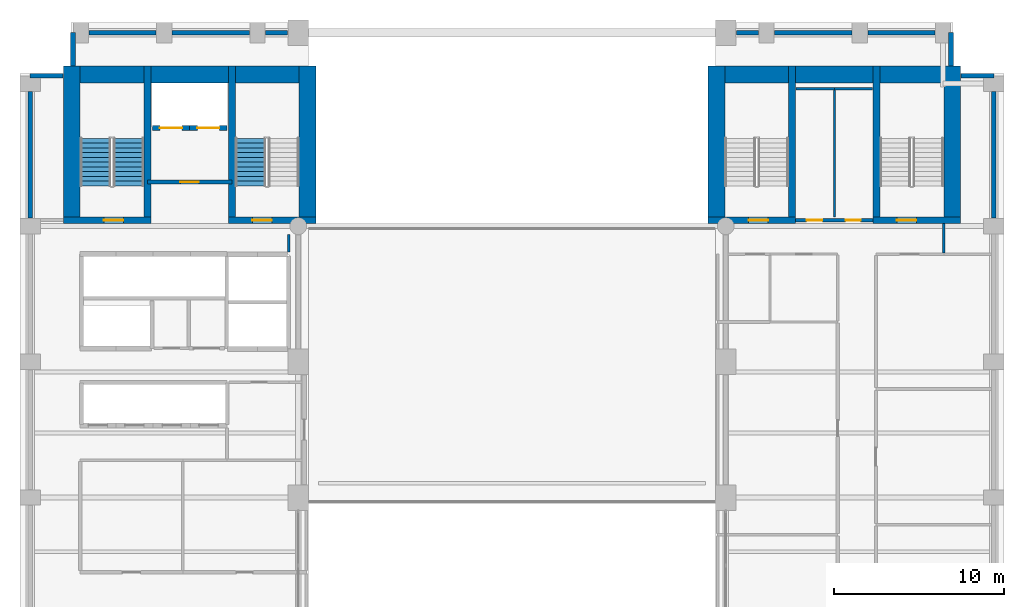
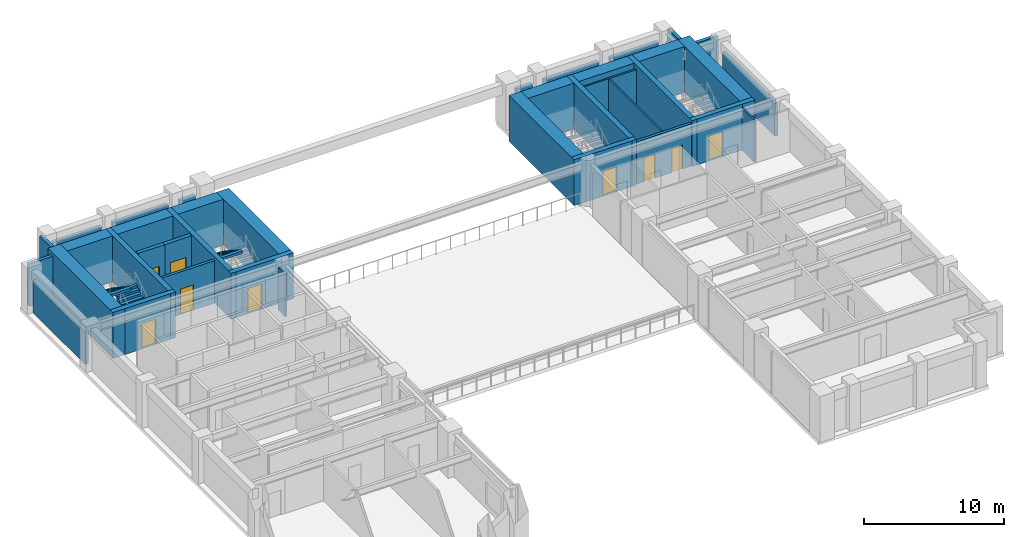
# One storey, part 7 of 12: 35 walls, 9 doors, 3 stair flights, 9 openings, 2 elements without a shape of their own.
"""IFC4 building model written with IfcOpenShell, lengths in metres."""

from ifc_helpers import new_model, si_unit, direction, frame, frame_2d, origin, place, context, subcontext, project, spatial, polyline, rectangle, outline, extrude, material, layer, layer_set, type_object, element, fill, aggregate, save


model = new_model("IFC4")

# Units and contexts
model_context = context("Model", 3, precision=1e-05, world=origin(), true_north=direction((0.0, 1.0)))
body_context = subcontext(model_context, "Body", "Model", "MODEL_VIEW")
ifc_project = project(units=[si_unit("LENGTHUNIT", "METRE"), si_unit("AREAUNIT", "SQUARE_METRE"), si_unit("VOLUMEUNIT", "CUBIC_METRE"), si_unit("PLANEANGLEUNIT", "RADIAN"), si_unit("MASSUNIT", "GRAM", prefix="KILO")], contexts=[model_context])

# Site, building, storey
site_placement = place(None, origin())
site = spatial("IfcSite", under=ifc_project, at=site_placement, CompositionType="ELEMENT")
building_placement = place(site_placement, origin())
building = spatial("IfcBuilding", under=site, at=building_placement, Name="Sulina Concourse Tower", CompositionType="ELEMENT")
storey_placement = place(building_placement, frame((0.0, 0.0, 38.60009765625)))
storey = spatial("IfcBuildingStorey", under=building, at=storey_placement, Name="L09", CompositionType="ELEMENT", Elevation=38.60009765625)

# Wall, opening, door
ifc_material_1 = material(Name="Concrete C50/60", Category="concrete")
ifc_layer_1 = layer(ifc_material_1, 0.300048828125)
ifc_layer_set_1 = layer_set([ifc_layer_1], Name="Concrete C50/60")
wall_type_1 = type_object("IfcWallType", Name="Core Lift Hoistway Wall 300mm", PredefinedType="SOLIDWALL", material=ifc_layer_set_1)
wall_1_placement = place(storey_placement, frame((10.0, 39.780029296875, 0.0), z_axis=(0.0, 0.0, 1.0), x_axis=(-1.0, 0.0, 0.0)))
wall_1 = element("IfcWall", 1, at=wall_1_placement, inside=storey, type_object=wall_type_1, Name="L09 hoistway enclosure wall FFL-1", PredefinedType="SOLIDWALL", context=body_context, shape_type="SweptSolid", body=[
    extrude(rectangle(XDim=2.199951171875, YDim=0.300048828125, at=frame_2d((1.10009765625, 0.0))), origin(), (0.0, 0.0, 1.0), 4.0),
])
opening_1_placement = place(wall_1_placement, frame((0.449951171875, 0.0, 0.0)))
opening_1 = element("IfcOpeningElement", 2, at=opening_1_placement, cuts=wall_1, Name="Opening LD-02", PredefinedType="OPENING", context=body_context, shape_type="SweptSolid", body=[
    extrude(rectangle(XDim=1.300048828125, YDim=2.25, at=frame_2d((0.64990234375, 1.125))), frame((0.0, 0.159912109375, 0.0), z_axis=(0.0, -1.0, 0.0), x_axis=(1.0, 0.0, 0.0)), (0.0, 0.0, 1.0), 0.320068359375),
])
ifc_material_2 = material(Name="Stainless steel lift landing door", Category="steel")
ifc_layer_2 = layer(ifc_material_2, 0.050048828125)
ifc_layer_set_2 = layer_set([ifc_layer_2], Name="Stainless steel lift landing door")
door_type_1 = type_object("IfcDoorType", Name="Firefighting Lift Sliding Landing Door 1300x2250", OperationType="SLIDING_TO_RIGHT", PredefinedType="DOOR", material=ifc_layer_set_2)
door_1_placement = place(opening_1_placement, origin())
door_1 = element("IfcDoor", 3, at=door_1_placement, inside=storey, type_object=door_type_1, Name="L09 lift landing sliding door FFL-1", OperationType="SLIDING_TO_LEFT", OverallHeight=2.25, OverallWidth=1.300048828125, PredefinedType="DOOR", context=body_context, shape_type="SweptSolid", body=[
    extrude(rectangle(XDim=1.300048828125, YDim=2.25, at=frame_2d((0.64990234375, 1.125))), frame((0.0, 0.02490234375, 0.0), z_axis=(0.0, -1.0, 0.0), x_axis=(1.0, 0.0, 0.0)), (0.0, 0.0, 1.0), 0.050048828125),
])
fill(opening_1, door_1)

wall_2_placement = place(storey_placement, frame((12.199951171875, 39.780029296875, 0.0), z_axis=(0.0, 0.0, 1.0), x_axis=(-1.0, 0.0, 0.0)))
wall_2 = element("IfcWall", 4, at=wall_2_placement, inside=storey, type_object=wall_type_1, Name="L09 hoistway enclosure wall FFL-2", PredefinedType="SOLIDWALL", context=body_context, shape_type="SweptSolid", body=[
    extrude(rectangle(XDim=2.199951171875, YDim=0.300048828125, at=frame_2d((1.10009765625, 0.0))), origin(), (0.0, 0.0, 1.0), 4.0),
])
opening_2_placement = place(wall_2_placement, frame((0.449951171875, 0.0, 0.0)))
opening_2 = element("IfcOpeningElement", 5, at=opening_2_placement, cuts=wall_2, Name="Opening LD-02", PredefinedType="OPENING", context=body_context, shape_type="SweptSolid", body=[
    extrude(rectangle(XDim=1.300048828125, YDim=2.25, at=frame_2d((0.64990234375, 1.125))), frame((0.0, 0.159912109375, 0.0), z_axis=(0.0, -1.0, 0.0), x_axis=(1.0, 0.0, 0.0)), (0.0, 0.0, 1.0), 0.320068359375),
])
door_2_placement = place(opening_2_placement, origin())
door_2 = element("IfcDoor", 6, at=door_2_placement, inside=storey, type_object=door_type_1, Name="L09 lift landing sliding door FFL-2", OperationType="SLIDING_TO_RIGHT", OverallHeight=2.25, OverallWidth=1.300048828125, PredefinedType="DOOR", context=body_context, shape_type="SweptSolid", body=[
    extrude(rectangle(XDim=1.300048828125, YDim=2.25, at=frame_2d((0.64990234375, 1.125))), frame((0.0, 0.02490234375, 0.0), z_axis=(0.0, -1.0, 0.0), x_axis=(1.0, 0.0, 0.0)), (0.0, 0.0, 1.0), 0.050048828125),
])
fill(opening_2, door_2)

ifc_material_3 = material(Name="Gypsum board on steel stud", Category="steel")
ifc_layer_3 = layer(ifc_material_3, 0.219970703125)
ifc_layer_set_3 = layer_set([ifc_layer_3], Name="Gypsum board on steel stud")
wall_type_2 = type_object("IfcWallType", Name="Fire-Rated Lobby & Compartment Wall 220mm", PredefinedType="PARTITIONING", material=ifc_layer_set_3)
wall_3_placement = place(storey_placement, frame((7.510009765625, 36.60009765625, 0.0), z_axis=(0.0, 0.0, 1.0), x_axis=(1.0, 0.0, 0.0)))
wall_3 = element("IfcWall", 7, at=wall_3_placement, inside=storey, type_object=wall_type_2, Name="L09 firefighting lobby south fire wall", PredefinedType="PARTITIONING", context=body_context, shape_type="SweptSolid", body=[
    extrude(rectangle(XDim=4.97998046875, YDim=0.219970703125, at=frame_2d((2.489990234375, 0.0))), origin(), (0.0, 0.0, 1.0), 3.699951171875),
])
opening_3_placement = place(wall_3_placement, frame((1.93994140625, 0.0, 0.0)))
opening_3 = element("IfcOpeningElement", 8, at=opening_3_placement, cuts=wall_3, Name="Opening DR-47", PredefinedType="OPENING", context=body_context, shape_type="SweptSolid", body=[
    extrude(rectangle(XDim=1.10009765625, YDim=2.199951171875, at=frame_2d((0.550048828125, 1.10009765625))), frame((0.0, 0.119873046875, 0.0), z_axis=(0.0, -1.0, 0.0), x_axis=(1.0, 0.0, 0.0)), (0.0, 0.0, 1.0), 0.239990234375),
])
ifc_material_4 = material(Name="Galvanised steel acoustic fire leaf", Category="steel")
ifc_layer_4 = layer(ifc_material_4, 0.054931640625)
ifc_layer_set_4 = layer_set([ifc_layer_4], Name="Galvanised steel acoustic fire leaf")
door_type_2 = type_object("IfcDoorType", Name="Firefighting Lobby Fire Door 1100x2200", OperationType="NOTDEFINED", PredefinedType="DOOR", material=ifc_layer_set_4)
door_3_placement = place(opening_3_placement, origin())
door_3 = element("IfcDoor", 9, at=door_3_placement, inside=storey, type_object=door_type_2, Name="L09 firefighting lobby fire door", OperationType="SINGLE_SWING_RIGHT", OverallHeight=2.199951171875, OverallWidth=1.10009765625, PredefinedType="DOOR", context=body_context, shape_type="SweptSolid", body=[
    extrude(rectangle(XDim=1.10009765625, YDim=2.199951171875, at=frame_2d((0.550048828125, 1.10009765625))), frame((0.0, 0.02490234375, 0.0), z_axis=(0.0, -1.0, 0.0), x_axis=(1.0, 0.0, 0.0)), (0.0, 0.0, 1.0), 0.050048828125),
])
fill(opening_3, door_3)

# Wall, openings, doors
wall_4_placement = place(storey_placement, frame((45.719970703125, 34.35009765625, 0.0), z_axis=(0.0, 0.0, 1.0), x_axis=(1.0, 0.0, 0.0)))
wall_4 = element("IfcWall", 10, at=wall_4_placement, inside=storey, type_object=wall_type_2, Name="L09 east core south lobby wall", PredefinedType="PARTITIONING", context=body_context, shape_type="SweptSolid", body=[
    extrude(rectangle(XDim=4.56005859375, YDim=0.219970703125, at=frame_2d((2.280029296875, 0.0))), origin(), (0.0, 0.0, 1.0), 3.699951171875),
])
opening_4_placement = place(wall_4_placement, frame((0.64990234375, 0.0, 0.0)))
opening_4 = element("IfcOpeningElement", 11, at=opening_4_placement, cuts=wall_4, Name="Opening DR-61", PredefinedType="OPENING", context=body_context, shape_type="SweptSolid", body=[
    extrude(rectangle(XDim=0.919921875, YDim=2.10009765625, at=frame_2d((0.4599609375, 1.050048828125))), frame((0.0, 0.119873046875, 0.0), z_axis=(0.0, -1.0, 0.0), x_axis=(1.0, 0.0, 0.0)), (0.0, 0.0, 1.0), 0.239990234375),
])
opening_5_placement = place(wall_4_placement, frame((2.949951171875, 0.0, 0.0)))
opening_5 = element("IfcOpeningElement", 12, at=opening_5_placement, cuts=wall_4, Name="Opening DR-38", PredefinedType="OPENING", context=body_context, shape_type="SweptSolid", body=[
    extrude(rectangle(XDim=0.8798828125, YDim=2.10009765625, at=frame_2d((0.43994140625, 1.050048828125))), frame((0.0, 0.119873046875, 0.0), z_axis=(0.0, -1.0, 0.0), x_axis=(1.0, 0.0, 0.0)), (0.0, 0.0, 1.0), 0.239990234375),
])
ifc_material_5 = material(Name="Oak-veneered fire door leaf")
ifc_layer_5 = layer(ifc_material_5, 0.050048828125)
ifc_layer_set_5 = layer_set([ifc_layer_5], Name="Oak-veneered fire door leaf")
door_type_3 = type_object("IfcDoorType", Name="Accessible WC Door 920x2100", OperationType="NOTDEFINED", PredefinedType="DOOR", material=ifc_layer_set_5)
door_4_placement = place(opening_4_placement, origin())
door_4 = element("IfcDoor", 13, at=door_4_placement, inside=storey, type_object=door_type_3, Name="L09 east core accessible wc door", OperationType="SINGLE_SWING_RIGHT", OverallHeight=2.10009765625, OverallWidth=0.919921875, PredefinedType="DOOR", context=body_context, shape_type="SweptSolid", body=[
    extrude(rectangle(XDim=0.919921875, YDim=2.10009765625, at=frame_2d((0.4599609375, 1.050048828125))), frame((0.0, 0.02490234375, 0.0), z_axis=(0.0, -1.0, 0.0), x_axis=(1.0, 0.0, 0.0)), (0.0, 0.0, 1.0), 0.050048828125),
])
fill(opening_4, door_4)
ifc_material_6 = material(Name="Galvanised steel acoustic fire leaf", Category="steel")
ifc_layer_6 = layer(ifc_material_6, 0.050048828125)
ifc_layer_set_6 = layer_set([ifc_layer_6], Name="Galvanised steel acoustic fire leaf")
door_type_4 = type_object("IfcDoorType", Name="Service Riser Fire Door 880x2100", OperationType="NOTDEFINED", PredefinedType="DOOR", material=ifc_layer_set_6)
door_5_placement = place(opening_5_placement, origin())
door_5 = element("IfcDoor", 14, at=door_5_placement, inside=storey, type_object=door_type_4, Name="L09 east core store door", OperationType="SINGLE_SWING_LEFT", OverallHeight=2.10009765625, OverallWidth=0.8798828125, PredefinedType="DOOR", context=body_context, shape_type="SweptSolid", body=[
    extrude(rectangle(XDim=0.8798828125, YDim=2.10009765625, at=frame_2d((0.43994140625, 1.050048828125))), frame((0.0, 0.02490234375, 0.0), z_axis=(0.0, -1.0, 0.0), x_axis=(1.0, 0.0, 0.0)), (0.0, 0.0, 1.0), 0.050048828125),
])
fill(opening_5, door_5)

# Walls
ifc_material_7 = material(Name="Gypsum board on steel stud", Category="steel")
ifc_layer_7 = layer(ifc_material_7, 0.14990234375)
ifc_layer_set_7 = layer_set([ifc_layer_7], Name="Gypsum board on steel stud")
wall_type_3 = type_object("IfcWallType", Name="Inter-Tenancy Acoustic Partition 150mm", PredefinedType="PARTITIONING", material=ifc_layer_set_7)
wall_5_placement = place(storey_placement, frame((48.0, 42.10009765625, 0.0), z_axis=(0.0, 0.0, 1.0), x_axis=(1.0, 0.0, 0.0)))
element("IfcWall", 15, at=wall_5_placement, inside=storey, type_object=wall_type_3, Name="L09 interior partition 028", PredefinedType="PARTITIONING", context=body_context, shape_type="SweptSolid", body=[
    extrude(rectangle(XDim=2.25, YDim=0.14990234375, at=frame_2d((1.125, 0.0))), origin(), (0.0, 0.0, 1.0), 3.699951171875),
])
wall_6_placement = place(storey_placement, frame((15.85009765625, 32.469970703125, 0.0), z_axis=(0.0, 0.0, 1.0), x_axis=(0.0, 1.0, 0.0)))
element("IfcWall", 16, at=wall_6_placement, inside=storey, type_object=wall_type_3, Name="L09 interior partition 035", PredefinedType="PARTITIONING", context=body_context, shape_type="SweptSolid", body=[
    extrude(rectangle(XDim=1.030029296875, YDim=0.14990234375, at=frame_2d((0.51513671875, 0.0))), origin(), (0.0, 0.0, 1.0), 3.699951171875),
])
wall_7_placement = place(storey_placement, frame((54.449951171875, 32.425048828125, 0.0), z_axis=(0.0, 0.0, 1.0), x_axis=(0.0, 1.0, 0.0)))
element("IfcWall", 17, at=wall_7_placement, inside=storey, type_object=wall_type_3, Name="L09 interior partition 054", PredefinedType="PARTITIONING", context=body_context, shape_type="SweptSolid", body=[
    extrude(rectangle(XDim=1.724853515625, YDim=0.14990234375, at=frame_2d((0.8623046875, 0.0))), origin(), (0.0, 0.0, 1.0), 3.699951171875),
])

# Wall, opening, door
ifc_material_8 = material(Name="Concrete C60/75", Category="concrete")
ifc_layer_8 = layer(ifc_material_8, 0.39990234375)
ifc_layer_set_8 = layer_set([ifc_layer_8], Name="Concrete C60/75")
wall_type_4 = type_object("IfcWallType", Name="Protected Stair Core Shear Wall 400mm", PredefinedType="SHEAR", material=ifc_layer_set_8)
wall_8_placement = place(storey_placement, frame((2.550048828125, 34.35009765625, 0.0), z_axis=(0.0, 0.0, 1.0), x_axis=(1.0, 0.0, 0.0)))
wall_8 = element("IfcWall", 18, at=wall_8_placement, inside=storey, type_object=wall_type_4, Name="L09 west core shear wall CW-WS1", PredefinedType="SHEAR", context=body_context, shape_type="SweptSolid", body=[
    extrude(rectangle(XDim=5.159912109375, YDim=0.39990234375, at=frame_2d((2.580078125, 0.0))), origin(), (0.0, 0.0, 1.0), 4.0),
])
opening_6_placement = place(wall_8_placement, frame((2.39990234375, 0.0, 0.0)))
opening_6 = element("IfcOpeningElement", 19, at=opening_6_placement, cuts=wall_8, Name="Opening DR-60", PredefinedType="OPENING", context=body_context, shape_type="SweptSolid", body=[
    extrude(rectangle(XDim=1.14990234375, YDim=2.199951171875, at=frame_2d((0.574951171875, 1.10009765625))), frame((0.0, 0.2099609375, 0.0), z_axis=(0.0, -1.0, 0.0), x_axis=(1.0, 0.0, 0.0)), (0.0, 0.0, 1.0), 0.419921875),
])
ifc_material_9 = material(Name="Galvanised steel acoustic fire leaf", Category="steel")
ifc_layer_9 = layer(ifc_material_9, 0.054931640625)
ifc_layer_set_9 = layer_set([ifc_layer_9], Name="Galvanised steel acoustic fire leaf")
door_type_5 = type_object("IfcDoorType", Name="Protected Exit Stair Fire Door 1150x2200", OperationType="NOTDEFINED", PredefinedType="DOOR", material=ifc_layer_set_9)
door_6_placement = place(opening_6_placement, origin())
door_6 = element("IfcDoor", 20, at=door_6_placement, inside=storey, type_object=door_type_5, Name="L09 stair ST-1 lobby fire door", OperationType="SINGLE_SWING_RIGHT", OverallHeight=2.199951171875, OverallWidth=1.14990234375, PredefinedType="DOOR", context=body_context, shape_type="SweptSolid", body=[
    extrude(rectangle(XDim=1.14990234375, YDim=2.199951171875, at=frame_2d((0.574951171875, 1.10009765625))), frame((0.0, 0.02490234375, 0.0), z_axis=(0.0, -1.0, 0.0), x_axis=(1.0, 0.0, 0.0)), (0.0, 0.0, 1.0), 0.050048828125),
])
fill(opening_6, door_6)

wall_9_placement = place(storey_placement, frame((12.2900390625, 34.35009765625, 0.0), z_axis=(0.0, 0.0, 1.0), x_axis=(1.0, 0.0, 0.0)))
wall_9 = element("IfcWall", 21, at=wall_9_placement, inside=storey, type_object=wall_type_4, Name="L09 west core shear wall CW-WS2", PredefinedType="SHEAR", context=body_context, shape_type="SweptSolid", body=[
    extrude(rectangle(XDim=5.159912109375, YDim=0.39990234375, at=frame_2d((2.580078125, 0.0))), origin(), (0.0, 0.0, 1.0), 4.0),
])
opening_7_placement = place(wall_9_placement, frame((1.39990234375, 0.0, 0.0)))
opening_7 = element("IfcOpeningElement", 22, at=opening_7_placement, cuts=wall_9, Name="Opening DR-60", PredefinedType="OPENING", context=body_context, shape_type="SweptSolid", body=[
    extrude(rectangle(XDim=1.14990234375, YDim=2.199951171875, at=frame_2d((0.574951171875, 1.10009765625))), frame((0.0, 0.2099609375, 0.0), z_axis=(0.0, -1.0, 0.0), x_axis=(1.0, 0.0, 0.0)), (0.0, 0.0, 1.0), 0.419921875),
])
door_7_placement = place(opening_7_placement, origin())
door_7 = element("IfcDoor", 23, at=door_7_placement, inside=storey, type_object=door_type_5, Name="L09 stair ST-2 lobby fire door", OperationType="SINGLE_SWING_LEFT", OverallHeight=2.199951171875, OverallWidth=1.14990234375, PredefinedType="DOOR", context=body_context, shape_type="SweptSolid", body=[
    extrude(rectangle(XDim=1.14990234375, YDim=2.199951171875, at=frame_2d((0.574951171875, 1.10009765625))), frame((0.0, 0.02490234375, 0.0), z_axis=(0.0, -1.0, 0.0), x_axis=(1.0, 0.0, 0.0)), (0.0, 0.0, 1.0), 0.050048828125),
])
fill(opening_7, door_7)

# Walls
for number, where, z_axis, x_axis, name in (
    (24, (7.510009765625, 34.14990234375, 0.0), (0.0, 0.0, 1.0), (0.0, 1.0, 0.0), "L09 west core shear wall SW-ST1"),
    (25, (12.489990234375, 34.14990234375, 0.0), (0.0, 0.0, 1.0), (0.0, 1.0, 0.0), "L09 west core shear wall SW-ST2"),
):
    element("IfcWall", number, at=place(storey_placement, frame(where, z_axis=z_axis, x_axis=x_axis)), inside=storey, type_object=wall_type_4, Name=name, PredefinedType="SHEAR", context=body_context, shape_type="SweptSolid", body=[
        extrude(rectangle(XDim=9.280029296875, YDim=0.39990234375, at=frame_2d((4.64013671875, 0.0))), origin(), (0.0, 0.0, 1.0), 4.0),
    ])

# Wall, opening, door
wall_10_placement = place(storey_placement, frame((40.550048828125, 34.35009765625, 0.0), z_axis=(0.0, 0.0, 1.0), x_axis=(1.0, 0.0, 0.0)))
wall_10 = element("IfcWall", 26, at=wall_10_placement, inside=storey, type_object=wall_type_4, Name="L09 east core shear wall CW-ES1", PredefinedType="SHEAR", context=body_context, shape_type="SweptSolid", body=[
    extrude(rectangle(XDim=5.159912109375, YDim=0.39990234375, at=frame_2d((2.580078125, 0.0))), origin(), (0.0, 0.0, 1.0), 4.0),
])
opening_8_placement = place(wall_10_placement, frame((2.39990234375, 0.0, 0.0)))
opening_8 = element("IfcOpeningElement", 27, at=opening_8_placement, cuts=wall_10, Name="Opening DR-60", PredefinedType="OPENING", context=body_context, shape_type="SweptSolid", body=[
    extrude(rectangle(XDim=1.14990234375, YDim=2.199951171875, at=frame_2d((0.574951171875, 1.10009765625))), frame((0.0, 0.2099609375, 0.0), z_axis=(0.0, -1.0, 0.0), x_axis=(1.0, 0.0, 0.0)), (0.0, 0.0, 1.0), 0.419921875),
])
door_8_placement = place(opening_8_placement, origin())
door_8 = element("IfcDoor", 28, at=door_8_placement, inside=storey, type_object=door_type_5, Name="L09 stair ST-3 south lobby fire door", OperationType="SINGLE_SWING_LEFT", OverallHeight=2.199951171875, OverallWidth=1.14990234375, PredefinedType="DOOR", context=body_context, shape_type="SweptSolid", body=[
    extrude(rectangle(XDim=1.14990234375, YDim=2.199951171875, at=frame_2d((0.574951171875, 1.10009765625))), frame((0.0, 0.02490234375, 0.0), z_axis=(0.0, -1.0, 0.0), x_axis=(1.0, 0.0, 0.0)), (0.0, 0.0, 1.0), 0.050048828125),
])
fill(opening_8, door_8)

# Wall
wall_11_placement = place(storey_placement, frame((45.510009765625, 34.14990234375, 0.0), z_axis=(0.0, 0.0, 1.0), x_axis=(0.0, 1.0, 0.0)))
element("IfcWall", 29, at=wall_11_placement, inside=storey, type_object=wall_type_4, Name="L09 east core shear wall SW-ST3", PredefinedType="SHEAR", context=body_context, shape_type="SweptSolid", body=[
    extrude(rectangle(XDim=9.280029296875, YDim=0.39990234375, at=frame_2d((4.64013671875, 0.0))), origin(), (0.0, 0.0, 1.0), 4.0),
])

# Wall, opening, door
wall_12_placement = place(storey_placement, frame((50.2900390625, 34.35009765625, 0.0), z_axis=(0.0, 0.0, 1.0), x_axis=(1.0, 0.0, 0.0)))
wall_12 = element("IfcWall", 30, at=wall_12_placement, inside=storey, type_object=wall_type_4, Name="L09 east core shear wall CW-ES2", PredefinedType="SHEAR", context=body_context, shape_type="SweptSolid", body=[
    extrude(rectangle(XDim=5.159912109375, YDim=0.39990234375, at=frame_2d((2.580078125, 0.0))), origin(), (0.0, 0.0, 1.0), 4.0),
])
opening_9_placement = place(wall_12_placement, frame((1.39990234375, 0.0, 0.0)))
opening_9 = element("IfcOpeningElement", 31, at=opening_9_placement, cuts=wall_12, Name="Opening DR-60", PredefinedType="OPENING", context=body_context, shape_type="SweptSolid", body=[
    extrude(rectangle(XDim=1.14990234375, YDim=2.199951171875, at=frame_2d((0.574951171875, 1.10009765625))), frame((0.0, 0.2099609375, 0.0), z_axis=(0.0, -1.0, 0.0), x_axis=(1.0, 0.0, 0.0)), (0.0, 0.0, 1.0), 0.419921875),
])
door_9_placement = place(opening_9_placement, origin())
door_9 = element("IfcDoor", 32, at=door_9_placement, inside=storey, type_object=door_type_5, Name="L09 stair ST-4 south lobby fire door", OperationType="SINGLE_SWING_RIGHT", OverallHeight=2.199951171875, OverallWidth=1.14990234375, PredefinedType="DOOR", context=body_context, shape_type="SweptSolid", body=[
    extrude(rectangle(XDim=1.14990234375, YDim=2.199951171875, at=frame_2d((0.574951171875, 1.10009765625))), frame((0.0, 0.02490234375, 0.0), z_axis=(0.0, -1.0, 0.0), x_axis=(1.0, 0.0, 0.0)), (0.0, 0.0, 1.0), 0.050048828125),
])
fill(opening_9, door_9)

# Walls
wall_13_placement = place(storey_placement, frame((50.489990234375, 34.14990234375, 0.0), z_axis=(0.0, 0.0, 1.0), x_axis=(0.0, 1.0, 0.0)))
element("IfcWall", 33, at=wall_13_placement, inside=storey, type_object=wall_type_4, Name="L09 east core shear wall SW-ST4", PredefinedType="SHEAR", context=body_context, shape_type="SweptSolid", body=[
    extrude(rectangle(XDim=9.280029296875, YDim=0.39990234375, at=frame_2d((4.64013671875, 0.0))), origin(), (0.0, 0.0, 1.0), 4.0),
])
ifc_material_10 = material(Name="Concrete C80/95", Category="concrete")
ifc_layer_10 = layer(ifc_material_10, 1.0)
ifc_layer_set_10 = layer_set([ifc_layer_10], Name="Concrete C80/95")
wall_type_5 = type_object("IfcWallType", Name="Rear Core Shear Wall 1000mm", PredefinedType="SHEAR", material=ifc_layer_set_10)
wall_14_placement = place(storey_placement, frame((2.550048828125, 42.929931640625, 0.0), z_axis=(0.0, 0.0, 1.0), x_axis=(1.0, 0.0, 0.0)))
element("IfcWall", 34, at=wall_14_placement, inside=storey, type_object=wall_type_5, Name="L09 west core shear wall CW-WN", PredefinedType="SHEAR", context=body_context, shape_type="SweptSolid", body=[
    extrude(rectangle(XDim=14.89990234375, YDim=1.0, at=frame_2d((7.449951171875, 0.0))), origin(), (0.0, 0.0, 1.0), 4.0),
])
for number, where, z_axis, x_axis, name in (
    (35, (3.050048828125, 34.14990234375, 0.0), (0.0, 0.0, 1.0), (0.0, 1.0, 0.0), "L09 west core shear wall CW-WW"),
    (36, (16.949951171875, 34.14990234375, 0.0), (0.0, 0.0, 1.0), (0.0, 1.0, 0.0), "L09 west core shear wall CW-WE"),
):
    element("IfcWall", number, at=place(storey_placement, frame(where, z_axis=z_axis, x_axis=x_axis)), inside=storey, type_object=wall_type_5, Name=name, PredefinedType="SHEAR", context=body_context, shape_type="SweptSolid", body=[
        extrude(rectangle(XDim=9.280029296875, YDim=1.0, at=frame_2d((4.64013671875, 0.0))), origin(), (0.0, 0.0, 1.0), 4.0),
    ])
wall_15_placement = place(storey_placement, frame((40.550048828125, 42.929931640625, 0.0), z_axis=(0.0, 0.0, 1.0), x_axis=(1.0, 0.0, 0.0)))
element("IfcWall", 37, at=wall_15_placement, inside=storey, type_object=wall_type_5, Name="L09 east core shear wall CW-EN", PredefinedType="SHEAR", context=body_context, shape_type="SweptSolid", body=[
    extrude(rectangle(XDim=14.89990234375, YDim=1.0, at=frame_2d((7.449951171875, 0.0))), origin(), (0.0, 0.0, 1.0), 4.0),
])
for number, where, z_axis, x_axis, name in (
    (38, (41.050048828125, 34.14990234375, 0.0), (0.0, 0.0, 1.0), (0.0, 1.0, 0.0), "L09 east core shear wall CW-EW"),
    (39, (54.949951171875, 34.14990234375, 0.0), (0.0, 0.0, 1.0), (0.0, 1.0, 0.0), "L09 east core shear wall CW-EE"),
):
    element("IfcWall", number, at=place(storey_placement, frame(where, z_axis=z_axis, x_axis=x_axis)), inside=storey, type_object=wall_type_5, Name=name, PredefinedType="SHEAR", context=body_context, shape_type="SweptSolid", body=[
        extrude(rectangle(XDim=9.280029296875, YDim=1.0, at=frame_2d((4.64013671875, 0.0))), origin(), (0.0, 0.0, 1.0), 4.0),
    ])
ifc_material_11 = material(Name="Precast concrete C50/60", Category="concrete")
ifc_layer_11 = layer(ifc_material_11, 0.280029296875)
ifc_layer_set_11 = layer_set([ifc_layer_11], Name="Precast concrete C50/60")
wall_type_6 = type_object("IfcWallType", Name="Typical Precast Masonry-Frame Facade Wall 280mm", PredefinedType="SOLIDWALL", material=ifc_layer_set_11)
wall_16_placement = place(storey_placement, frame((0.60009765625, 34.469970703125, 0.0), z_axis=(0.0, 0.0, 1.0), x_axis=(0.0, 1.0, 0.0)))
element("IfcWall", 40, at=wall_16_placement, inside=storey, type_object=wall_type_6, Name="L09 exterior precast wall W5", PredefinedType="SOLIDWALL", context=body_context, shape_type="SweptSolid", body=[
    extrude(rectangle(XDim=7.4599609375, YDim=0.280029296875, at=frame_2d((3.72998046875, 0.0))), origin(), (0.0, 0.0, 1.0), 2.849853515625),
])
wall_17_placement = place(storey_placement, frame((4.070068359375, 45.39990234375, 0.0), z_axis=(0.0, 0.0, 1.0), x_axis=(1.0, 0.0, 0.0)))
element("IfcWall", 41, at=wall_17_placement, inside=storey, type_object=wall_type_6, Name="L09 exterior precast wall N1", PredefinedType="SOLIDWALL", context=body_context, shape_type="SweptSolid", body=[
    extrude(rectangle(XDim=3.9599609375, YDim=0.280029296875, at=frame_2d((1.97998046875, 0.0))), origin(), (0.0, 0.0, 1.0), 2.849853515625),
])
wall_18_placement = place(storey_placement, frame((8.969970703125, 45.39990234375, 0.0), z_axis=(0.0, 0.0, 1.0), x_axis=(1.0, 0.0, 0.0)))
element("IfcWall", 42, at=wall_18_placement, inside=storey, type_object=wall_type_6, Name="L09 exterior precast wall N2", PredefinedType="SOLIDWALL", context=body_context, shape_type="SweptSolid", body=[
    extrude(rectangle(XDim=4.56005859375, YDim=0.280029296875, at=frame_2d((2.280029296875, 0.0))), origin(), (0.0, 0.0, 1.0), 2.849853515625),
])
for number, where, z_axis, x_axis, name in (
    (43, (14.469970703125, 45.39990234375, 0.0), (0.0, 0.0, 1.0), (1.0, 0.0, 0.0), "L09 exterior precast wall N3"),
    (44, (42.219970703125, 45.39990234375, 0.0), (0.0, 0.0, 1.0), (1.0, 0.0, 0.0), "L09 exterior precast wall N5"),
):
    element("IfcWall", number, at=place(storey_placement, frame(where, z_axis=z_axis, x_axis=x_axis)), inside=storey, type_object=wall_type_6, Name=name, PredefinedType="SOLIDWALL", context=body_context, shape_type="SweptSolid", body=[
        extrude(rectangle(XDim=1.31005859375, YDim=0.280029296875, at=frame_2d((0.655029296875, 0.0))), origin(), (0.0, 0.0, 1.0), 2.849853515625),
    ])
wall_19_placement = place(storey_placement, frame((44.469970703125, 45.39990234375, 0.0), z_axis=(0.0, 0.0, 1.0), x_axis=(1.0, 0.0, 0.0)))
element("IfcWall", 45, at=wall_19_placement, inside=storey, type_object=wall_type_6, Name="L09 exterior precast wall N6", PredefinedType="SOLIDWALL", context=body_context, shape_type="SweptSolid", body=[
    extrude(rectangle(XDim=4.56005859375, YDim=0.280029296875, at=frame_2d((2.280029296875, 0.0))), origin(), (0.0, 0.0, 1.0), 2.849853515625),
])
wall_20_placement = place(storey_placement, frame((49.969970703125, 45.39990234375, 0.0), z_axis=(0.0, 0.0, 1.0), x_axis=(1.0, 0.0, 0.0)))
element("IfcWall", 46, at=wall_20_placement, inside=storey, type_object=wall_type_6, Name="L09 exterior precast wall N7", PredefinedType="SOLIDWALL", context=body_context, shape_type="SweptSolid", body=[
    extrude(rectangle(XDim=3.9599609375, YDim=0.280029296875, at=frame_2d((1.97998046875, 0.0))), origin(), (0.0, 0.0, 1.0), 2.849853515625),
])
wall_21_placement = place(storey_placement, frame((57.39990234375, 41.929931640625, 0.0), z_axis=(0.0, 0.0, 1.0), x_axis=(0.0, -1.0, 0.0)))
element("IfcWall", 47, at=wall_21_placement, inside=storey, type_object=wall_type_6, Name="L09 exterior precast wall E5", PredefinedType="SOLIDWALL", context=body_context, shape_type="SweptSolid", body=[
    extrude(rectangle(XDim=7.4599609375, YDim=0.280029296875, at=frame_2d((3.72998046875, 0.0))), origin(), (0.0, 0.0, 1.0), 2.849853515625),
])
wall_22_placement = place(storey_placement, frame((0.60009765625, 42.8701171875, 0.0), z_axis=(0.0, 0.0, 1.0), x_axis=(1.0, 0.0, 0.0)))
element("IfcWall", 48, at=wall_22_placement, inside=storey, type_object=wall_type_6, Name="L09 exterior precast wall CNW1", PredefinedType="SOLIDWALL", context=body_context, shape_type="SweptSolid", body=[
    extrude(rectangle(XDim=1.94482421875, YDim=0.280029296875, at=frame_2d((0.972412109375, 0.0))), origin(), (0.0, 0.0, 1.0), 3.699951171875),
])
for number, where, z_axis, x_axis, name in (
    (49, (3.1298828125, 43.43505859375, 0.0), (0.0, 0.0, 1.0), (0.0, 1.0, 0.0), "L09 exterior precast wall CNW2"),
    (50, (54.8701171875, 45.39990234375, 0.0), (0.0, 0.0, 1.0), (0.0, -1.0, 0.0), "L09 exterior precast wall CNE1"),
):
    element("IfcWall", number, at=place(storey_placement, frame(where, z_axis=z_axis, x_axis=x_axis)), inside=storey, type_object=wall_type_6, Name=name, PredefinedType="SOLIDWALL", context=body_context, shape_type="SweptSolid", body=[
        extrude(rectangle(XDim=1.96484375, YDim=0.280029296875, at=frame_2d((0.982421875, 0.0))), origin(), (0.0, 0.0, 1.0), 3.699951171875),
    ])
wall_23_placement = place(storey_placement, frame((55.455078125, 42.8701171875, 0.0), z_axis=(0.0, 0.0, 1.0), x_axis=(1.0, 0.0, 0.0)))
element("IfcWall", 51, at=wall_23_placement, inside=storey, type_object=wall_type_6, Name="L09 exterior precast wall CNE2", PredefinedType="SOLIDWALL", context=body_context, shape_type="SweptSolid", body=[
    extrude(rectangle(XDim=1.94482421875, YDim=0.280029296875, at=frame_2d((0.972412109375, 0.0))), origin(), (0.0, 0.0, 1.0), 3.699951171875),
])
ifc_material_12 = material(Name="Gypsum board on steel stud", Category="steel")
ifc_layer_12 = layer(ifc_material_12, 0.125)
ifc_layer_set_12 = layer_set([ifc_layer_12], Name="Gypsum board on steel stud")
wall_type_7 = type_object("IfcWallType", Name="Wet-Area Moisture-Resistant Partition 125mm", PredefinedType="PARTITIONING", material=ifc_layer_set_12)
wall_24_placement = place(storey_placement, frame((45.75, 42.10009765625, 0.0), z_axis=(0.0, 0.0, 1.0), x_axis=(1.0, 0.0, 0.0)))
element("IfcWall", 52, at=wall_24_placement, inside=storey, type_object=wall_type_7, Name="L09 interior partition 027", PredefinedType="PARTITIONING", context=body_context, shape_type="SweptSolid", body=[
    extrude(rectangle(XDim=2.25, YDim=0.125, at=frame_2d((1.125, 0.0))), origin(), (0.0, 0.0, 1.0), 3.699951171875),
])
wall_25_placement = place(storey_placement, frame((48.0, 34.550048828125, 0.0), z_axis=(0.0, 0.0, 1.0), x_axis=(0.0, 1.0, 0.0)))
element("IfcWall", 53, at=wall_25_placement, inside=storey, type_object=wall_type_7, Name="L09 interior partition 047", PredefinedType="PARTITIONING", context=body_context, shape_type="SweptSolid", body=[
    extrude(rectangle(XDim=7.474853515625, YDim=0.125, at=frame_2d((3.7373046875, 0.0))), origin(), (0.0, 0.0, 1.0), 3.699951171875),
])

# Stair, stair flights
ifc_material_13 = material(Name="Concrete C50/60", Category="concrete")
stair_type = type_object("IfcStairType", Name="Primary Core Dog-Leg Exit Stair 1800mm", PredefinedType="HALF_TURN_STAIR", material=ifc_material_13)
stair_1_placement = place(storey_placement, origin())
stair_1 = element("IfcStair", 54, at=stair_1_placement, inside=storey, type_object=stair_type, Name="L09 ST-1", PredefinedType="HALF_TURN_STAIR")
ifc_material_14 = material(Name="Concrete C50/60", Category="concrete")
stair_flight_type = type_object("IfcStairFlightType", Name="Primary Core Dog-Leg Exit Stair 1800mm Flight", PredefinedType="STRAIGHT", material=ifc_material_14)
stair_flight_1_placement = place(storey_placement, frame((6.405029296875, 36.375, 0.0), z_axis=(0.0, 0.0, 1.0), x_axis=(0.0, 1.0, 0.0)))
stair_flight_1 = element("IfcStairFlight", 55, at=stair_flight_1_placement, type_object=stair_flight_type, Name="ST-1 flight 1", NumberOfRisers=11, NumberOfTreads=10, PredefinedType="STRAIGHT", RiserHeight=0.181818182, TreadLength=0.28, context=body_context, shape_type="SweptSolid", body=[
    extrude(outline(polyline([(0.0, 0.0), (0.0, 0.181884765625), (0.280029296875, 0.181884765625), (0.280029296875, 0.363525390625), (0.56005859375, 0.363525390625), (0.56005859375, 0.54541015625), (0.840087890625, 0.54541015625), (0.840087890625, 0.727294921875), (1.1201171875, 0.727294921875), (1.1201171875, 0.9091796875), (1.39990234375, 0.9091796875), (1.39990234375, 1.0908203125), (1.679931640625, 1.0908203125), (1.679931640625, 1.272705078125), (1.9599609375, 1.272705078125), (1.9599609375, 1.45458984375), (2.239990234375, 1.45458984375), (2.239990234375, 1.636474609375), (2.52001953125, 1.636474609375), (2.52001953125, 1.818115234375), (2.800048828125, 1.818115234375), (2.800048828125, 2.0), (2.800048828125, 1.603759765625), (0.330322265625, 0.0), (0.0, 0.0)])), frame((0.0, 0.89990234375, 0.0), z_axis=(0.0, -1.0, 0.0), x_axis=(1.0, 0.0, 0.0)), (0.0, 0.0, 1.0), 1.800048828125),
])
stair_flight_2_placement = place(storey_placement, frame((4.455078125, 39.175048828125, 2.0), z_axis=(0.0, 0.0, 1.0), x_axis=(0.0, -1.0, 0.0)))
stair_flight_2 = element("IfcStairFlight", 56, at=stair_flight_2_placement, type_object=stair_flight_type, Name="ST-1 flight 2", NumberOfRisers=11, NumberOfTreads=10, PredefinedType="STRAIGHT", RiserHeight=0.181818182, TreadLength=0.28, context=body_context, shape_type="SweptSolid", body=[
    extrude(outline(polyline([(0.0, 0.0), (0.0, 0.181884765625), (0.280029296875, 0.181884765625), (0.280029296875, 0.363525390625), (0.56005859375, 0.363525390625), (0.56005859375, 0.54541015625), (0.840087890625, 0.54541015625), (0.840087890625, 0.727294921875), (1.1201171875, 0.727294921875), (1.1201171875, 0.9091796875), (1.39990234375, 0.9091796875), (1.39990234375, 1.0908203125), (1.679931640625, 1.0908203125), (1.679931640625, 1.272705078125), (1.9599609375, 1.272705078125), (1.9599609375, 1.45458984375), (2.239990234375, 1.45458984375), (2.239990234375, 1.636474609375), (2.52001953125, 1.636474609375), (2.52001953125, 1.818115234375), (2.800048828125, 1.818115234375), (2.800048828125, 2.0), (2.800048828125, 1.603759765625), (0.330322265625, 0.0), (0.0, 0.0)])), frame((0.0, 0.89990234375, 0.0), z_axis=(0.0, -1.0, 0.0), x_axis=(1.0, 0.0, 0.0)), (0.0, 0.0, 1.0), 1.800048828125),
])
aggregate(stair_1, [stair_flight_1, stair_flight_2])

# Stair, stair flight
stair_2_placement = place(storey_placement, origin())
stair_2 = element("IfcStair", 57, at=stair_2_placement, inside=storey, type_object=stair_type, Name="L09 ST-2", PredefinedType="HALF_TURN_STAIR")
stair_flight_3_placement = place(storey_placement, frame((13.594970703125, 39.175048828125, 2.0), z_axis=(0.0, 0.0, 1.0), x_axis=(0.0, -1.0, 0.0)))
stair_flight_3 = element("IfcStairFlight", 58, at=stair_flight_3_placement, type_object=stair_flight_type, Name="ST-2 flight 2", NumberOfRisers=11, NumberOfTreads=10, PredefinedType="STRAIGHT", RiserHeight=0.181818182, TreadLength=0.28, context=body_context, shape_type="SweptSolid", body=[
    extrude(outline(polyline([(0.0, 0.0), (0.0, 0.181884765625), (0.280029296875, 0.181884765625), (0.280029296875, 0.363525390625), (0.56005859375, 0.363525390625), (0.56005859375, 0.54541015625), (0.840087890625, 0.54541015625), (0.840087890625, 0.727294921875), (1.1201171875, 0.727294921875), (1.1201171875, 0.9091796875), (1.39990234375, 0.9091796875), (1.39990234375, 1.0908203125), (1.679931640625, 1.0908203125), (1.679931640625, 1.272705078125), (1.9599609375, 1.272705078125), (1.9599609375, 1.45458984375), (2.239990234375, 1.45458984375), (2.239990234375, 1.636474609375), (2.52001953125, 1.636474609375), (2.52001953125, 1.818115234375), (2.800048828125, 1.818115234375), (2.800048828125, 2.0), (2.800048828125, 1.603759765625), (0.330322265625, 0.0), (0.0, 0.0)])), frame((0.0, 0.89990234375, 0.0), z_axis=(0.0, -1.0, 0.0), x_axis=(1.0, 0.0, 0.0)), (0.0, 0.0, 1.0), 1.800048828125),
])
aggregate(stair_2, [stair_flight_3])

save(model, "model.ifc")
